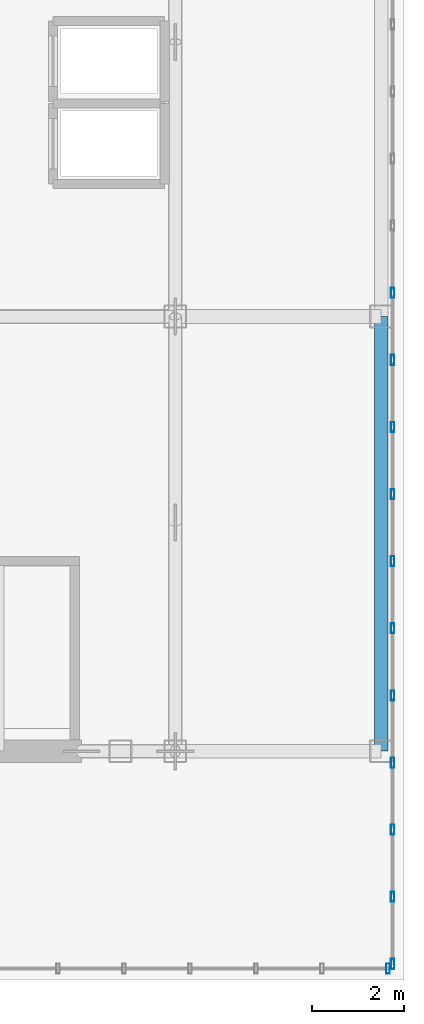
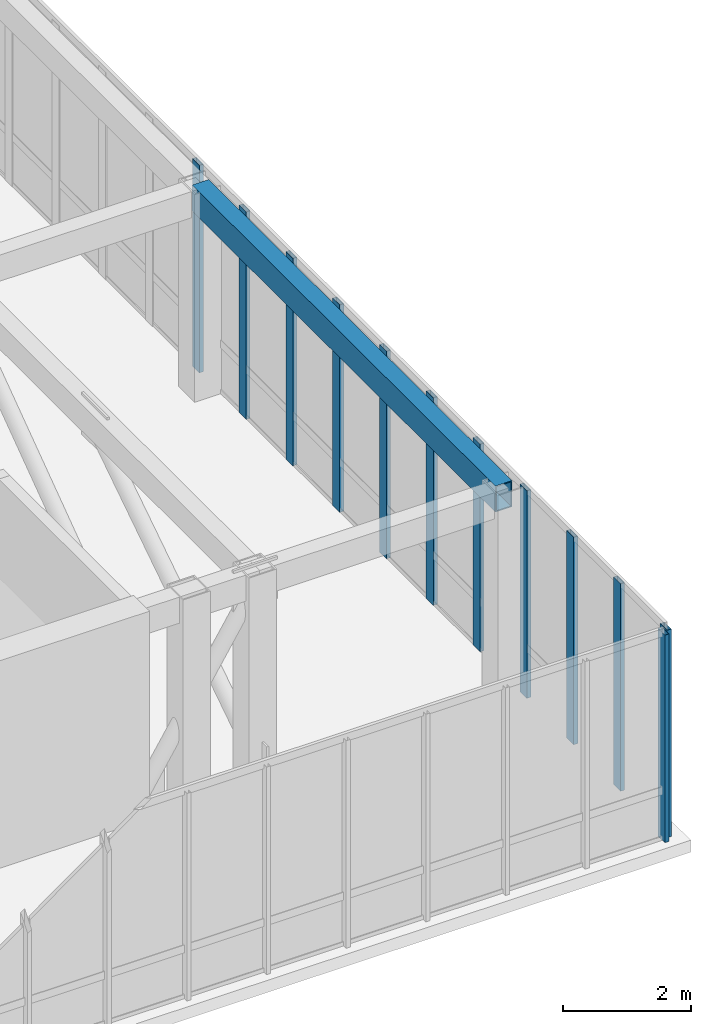
# One storey, part 6 of 13: 12 members, 1 beam, 2 elements without a shape of their own.
"""IFC4 building model written with IfcOpenShell, lengths in metres."""

from ifc_helpers import new_model, si_unit, direction, frame, origin, origin_2d, place, context, subcontext, project, spatial, hollow_rectangle, extrude, source, transform, mapped, material, layer, layer_set, material_profile, profile_set, type_object, element, aggregate, save


model = new_model("IFC4")

# Units and contexts
model_context = context("Model", 3, precision=1e-05, world=origin(), true_north=direction((0.0, 1.0)))
body_context = subcontext(model_context, "Body", "Model", "MODEL_VIEW")
ifc_project = project(units=[si_unit("LENGTHUNIT", "METRE"), si_unit("AREAUNIT", "SQUARE_METRE"), si_unit("VOLUMEUNIT", "CUBIC_METRE"), si_unit("PLANEANGLEUNIT", "RADIAN"), si_unit("MASSUNIT", "GRAM", prefix="KILO")], contexts=[model_context])

# Site, building, storey
site_placement = place(None, origin())
site = spatial("IfcSite", under=ifc_project, at=site_placement, CompositionType="ELEMENT")
building_placement = place(site_placement, origin())
building = spatial("IfcBuilding", under=site, at=building_placement, Name="Kharzan Plaza Tower", CompositionType="ELEMENT")
storey_placement = place(building_placement, frame((0.0, 0.0, 281.39990234375)))
storey = spatial("IfcBuildingStorey", under=building, at=storey_placement, Name="L76-CROWN", CompositionType="ELEMENT", Elevation=281.39990234375)

# Beam
ifc_material_1 = material(Name="Steel S355", Category="steel")
ifc_material_profile_1 = material_profile(ifc_material_1, hollow_rectangle(XDim=0.300048828125, YDim=0.5, WallThickness=0.02001953125, at=origin_2d()), Name="RHS500x300x20")
ifc_profile_set_1 = profile_set([ifc_material_profile_1], Name="Steel S355")
beam_type = type_object("IfcBeamType", Name="BM-CRN500", PredefinedType="BEAM", material=ifc_profile_set_1)
shared_shape_1 = source(origin(), body_context, "Body", "SweptSolid", [
    extrude(hollow_rectangle(XDim=0.300048828125, YDim=0.5, WallThickness=0.02001953125, at=origin_2d()), origin(), (0.0, 0.0, 1.0), 9.5),
])
beam_placement = place(storey_placement, frame((19.0, 8.5, 3.72021484375), z_axis=(0.0, 1.0, 0.0), x_axis=(-1.0, 0.0, 0.0)))
element("IfcBeam", 1, at=beam_placement, inside=storey, type_object=beam_type, Name="L76-CROWN CROWN FRAME Lantern Ring Beam CRB-E1", PredefinedType="BEAM", context=body_context, shape_type="MappedRepresentation", body=[
    mapped(shared_shape_1, transform((0.0, 0.0, 0.0), x_axis=(1.0, 0.0, 0.0), y_axis=(0.0, 1.0, 0.0), z_axis=(0.0, 0.0, 1.0))),
])

# Curtain wall, member
ifc_material_2 = material(Name="Unitised Bronze-Anodized Aluminium and Low-E Glass", Category="aluminium")
ifc_layer = layer(ifc_material_2, 0.199951171875)
ifc_layer_set = layer_set([ifc_layer], Name="Unitised Bronze-Anodized Aluminium and Low-E Glass")
curtain_wall_type = type_object("IfcCurtainWallType", Name="CW-LANTERN-6", PredefinedType="NOTDEFINED", material=ifc_layer_set)
curtain_wall_1_placement = place(storey_placement, origin())
curtain_wall_1 = element("IfcCurtainWall", 2, at=curtain_wall_1_placement, inside=storey, type_object=curtain_wall_type, Name="L76-CROWN Lantern Crown Illuminated Curtain Wall 1", PredefinedType="NOTDEFINED")
ifc_material_3 = material(Name="Anodized Bronze Aluminium", Category="aluminium")
ifc_material_profile_2 = material_profile(ifc_material_3, hollow_rectangle(XDim=0.074951171875, YDim=0.219970703125, WallThickness=0.00390625, at=origin_2d()), Name="ALU-M220x75x4")
ifc_profile_set_2 = profile_set([ifc_material_profile_2], Name="Anodized Bronze Aluminium")
member_type = type_object("IfcMemberType", Name="MEM-CW-MUL200", PredefinedType="MULLION", material=ifc_profile_set_2)
shared_shape_2 = source(origin(), body_context, "Body", "SweptSolid", [
    extrude(hollow_rectangle(XDim=0.074951171875, YDim=0.219970703125, WallThickness=0.00390625, at=origin_2d()), origin(), (0.0, 0.0, 1.0), 3.97021484375),
])
member_1_placement = place(storey_placement, frame((19.14990234375, 3.75, 0.0), z_axis=(0.0, 0.0, 1.0), x_axis=(1.0, 0.0, 0.0)))
member_1 = element("IfcMember", 3, at=member_1_placement, type_object=member_type, Name="L76-CROWN Curtain-Wall Mullion 12", PredefinedType="MULLION", context=body_context, shape_type="MappedRepresentation", body=[
    mapped(shared_shape_2, transform((0.0, 0.0, 0.0), x_axis=(1.0, 0.0, 0.0), y_axis=(0.0, 1.0, 0.0), z_axis=(0.0, 0.0, 1.0))),
])
aggregate(curtain_wall_1, [member_1])

# Curtain wall, members
curtain_wall_2_placement = place(storey_placement, origin())
curtain_wall_2 = element("IfcCurtainWall", 4, at=curtain_wall_2_placement, inside=storey, type_object=curtain_wall_type, Name="L76-CROWN Lantern Crown Illuminated Curtain Wall 2", PredefinedType="NOTDEFINED")
member_2_placement = place(storey_placement, frame((19.25, 3.85009765625, 0.0), z_axis=(0.0, 0.0, 1.0), x_axis=(1.0, 0.0, 0.0)))
member_2 = element("IfcMember", 5, at=member_2_placement, type_object=member_type, Name="L76-CROWN Curtain-Wall Mullion 00", PredefinedType="MULLION", context=body_context, shape_type="MappedRepresentation", body=[
    mapped(shared_shape_2, transform((0.0, 0.0, 0.0), x_axis=(1.0, 0.0, 0.0), y_axis=(0.0, 1.0, 0.0), z_axis=(0.0, 0.0, 1.0))),
])
member_3_placement = place(storey_placement, frame((19.25, 5.316650390625, 0.0), z_axis=(0.0, 0.0, 1.0), x_axis=(1.0, 0.0, 0.0)))
member_3 = element("IfcMember", 6, at=member_3_placement, type_object=member_type, Name="L76-CROWN Curtain-Wall Mullion 01", PredefinedType="MULLION", context=body_context, shape_type="MappedRepresentation", body=[
    mapped(shared_shape_2, transform((0.0, 0.0, 0.0), x_axis=(1.0, 0.0, 0.0), y_axis=(0.0, 1.0, 0.0), z_axis=(0.0, 0.0, 1.0))),
])
member_4_placement = place(storey_placement, frame((19.25, 6.783203125, 0.0), z_axis=(0.0, 0.0, 1.0), x_axis=(1.0, 0.0, 0.0)))
member_4 = element("IfcMember", 7, at=member_4_placement, type_object=member_type, Name="L76-CROWN Curtain-Wall Mullion 02", PredefinedType="MULLION", context=body_context, shape_type="MappedRepresentation", body=[
    mapped(shared_shape_2, transform((0.0, 0.0, 0.0), x_axis=(1.0, 0.0, 0.0), y_axis=(0.0, 1.0, 0.0), z_axis=(0.0, 0.0, 1.0))),
])
member_5_placement = place(storey_placement, frame((19.25, 8.25, 0.0), z_axis=(0.0, 0.0, 1.0), x_axis=(1.0, 0.0, 0.0)))
member_5 = element("IfcMember", 8, at=member_5_placement, type_object=member_type, Name="L76-CROWN Curtain-Wall Mullion 03", PredefinedType="MULLION", context=body_context, shape_type="MappedRepresentation", body=[
    mapped(shared_shape_2, transform((0.0, 0.0, 0.0), x_axis=(1.0, 0.0, 0.0), y_axis=(0.0, 1.0, 0.0), z_axis=(0.0, 0.0, 1.0))),
])
member_6_placement = place(storey_placement, frame((19.25, 9.716796875, 0.0), z_axis=(0.0, 0.0, 1.0), x_axis=(1.0, 0.0, 0.0)))
member_6 = element("IfcMember", 9, at=member_6_placement, type_object=member_type, Name="L76-CROWN Curtain-Wall Mullion 04", PredefinedType="MULLION", context=body_context, shape_type="MappedRepresentation", body=[
    mapped(shared_shape_2, transform((0.0, 0.0, 0.0), x_axis=(1.0, 0.0, 0.0), y_axis=(0.0, 1.0, 0.0), z_axis=(0.0, 0.0, 1.0))),
])
member_7_placement = place(storey_placement, frame((19.25, 11.183349609375, 0.0), z_axis=(0.0, 0.0, 1.0), x_axis=(1.0, 0.0, 0.0)))
member_7 = element("IfcMember", 10, at=member_7_placement, type_object=member_type, Name="L76-CROWN Curtain-Wall Mullion 05", PredefinedType="MULLION", context=body_context, shape_type="MappedRepresentation", body=[
    mapped(shared_shape_2, transform((0.0, 0.0, 0.0), x_axis=(1.0, 0.0, 0.0), y_axis=(0.0, 1.0, 0.0), z_axis=(0.0, 0.0, 1.0))),
])
member_8_placement = place(storey_placement, frame((19.25, 12.64990234375, 0.0), z_axis=(0.0, 0.0, 1.0), x_axis=(1.0, 0.0, 0.0)))
member_8 = element("IfcMember", 11, at=member_8_placement, type_object=member_type, Name="L76-CROWN Curtain-Wall Mullion 06", PredefinedType="MULLION", context=body_context, shape_type="MappedRepresentation", body=[
    mapped(shared_shape_2, transform((0.0, 0.0, 0.0), x_axis=(1.0, 0.0, 0.0), y_axis=(0.0, 1.0, 0.0), z_axis=(0.0, 0.0, 1.0))),
])
member_9_placement = place(storey_placement, frame((19.25, 14.11669921875, 0.0), z_axis=(0.0, 0.0, 1.0), x_axis=(1.0, 0.0, 0.0)))
member_9 = element("IfcMember", 12, at=member_9_placement, type_object=member_type, Name="L76-CROWN Curtain-Wall Mullion 07", PredefinedType="MULLION", context=body_context, shape_type="MappedRepresentation", body=[
    mapped(shared_shape_2, transform((0.0, 0.0, 0.0), x_axis=(1.0, 0.0, 0.0), y_axis=(0.0, 1.0, 0.0), z_axis=(0.0, 0.0, 1.0))),
])
member_10_placement = place(storey_placement, frame((19.25, 15.583251953125, 0.0), z_axis=(0.0, 0.0, 1.0), x_axis=(1.0, 0.0, 0.0)))
member_10 = element("IfcMember", 13, at=member_10_placement, type_object=member_type, Name="L76-CROWN Curtain-Wall Mullion 08", PredefinedType="MULLION", context=body_context, shape_type="MappedRepresentation", body=[
    mapped(shared_shape_2, transform((0.0, 0.0, 0.0), x_axis=(1.0, 0.0, 0.0), y_axis=(0.0, 1.0, 0.0), z_axis=(0.0, 0.0, 1.0))),
])
member_11_placement = place(storey_placement, frame((19.25, 17.050048828125, 0.0), z_axis=(0.0, 0.0, 1.0), x_axis=(1.0, 0.0, 0.0)))
member_11 = element("IfcMember", 14, at=member_11_placement, type_object=member_type, Name="L76-CROWN Curtain-Wall Mullion 09", PredefinedType="MULLION", context=body_context, shape_type="MappedRepresentation", body=[
    mapped(shared_shape_2, transform((0.0, 0.0, 0.0), x_axis=(1.0, 0.0, 0.0), y_axis=(0.0, 1.0, 0.0), z_axis=(0.0, 0.0, 1.0))),
])
member_12_placement = place(storey_placement, frame((19.25, 18.5166015625, 0.0), z_axis=(0.0, 0.0, 1.0), x_axis=(1.0, 0.0, 0.0)))
member_12 = element("IfcMember", 15, at=member_12_placement, type_object=member_type, Name="L76-CROWN Curtain-Wall Mullion 10", PredefinedType="MULLION", context=body_context, shape_type="MappedRepresentation", body=[
    mapped(shared_shape_2, transform((0.0, 0.0, 0.0), x_axis=(1.0, 0.0, 0.0), y_axis=(0.0, 1.0, 0.0), z_axis=(0.0, 0.0, 1.0))),
])
aggregate(curtain_wall_2, [member_2, member_3, member_4, member_5, member_6, member_7, member_8, member_9, member_10, member_11, member_12])

save(model, "model.ifc")
